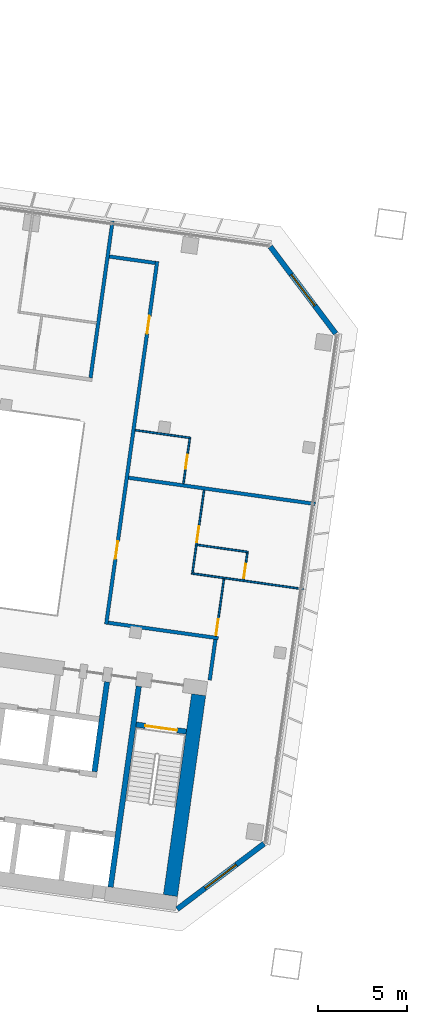
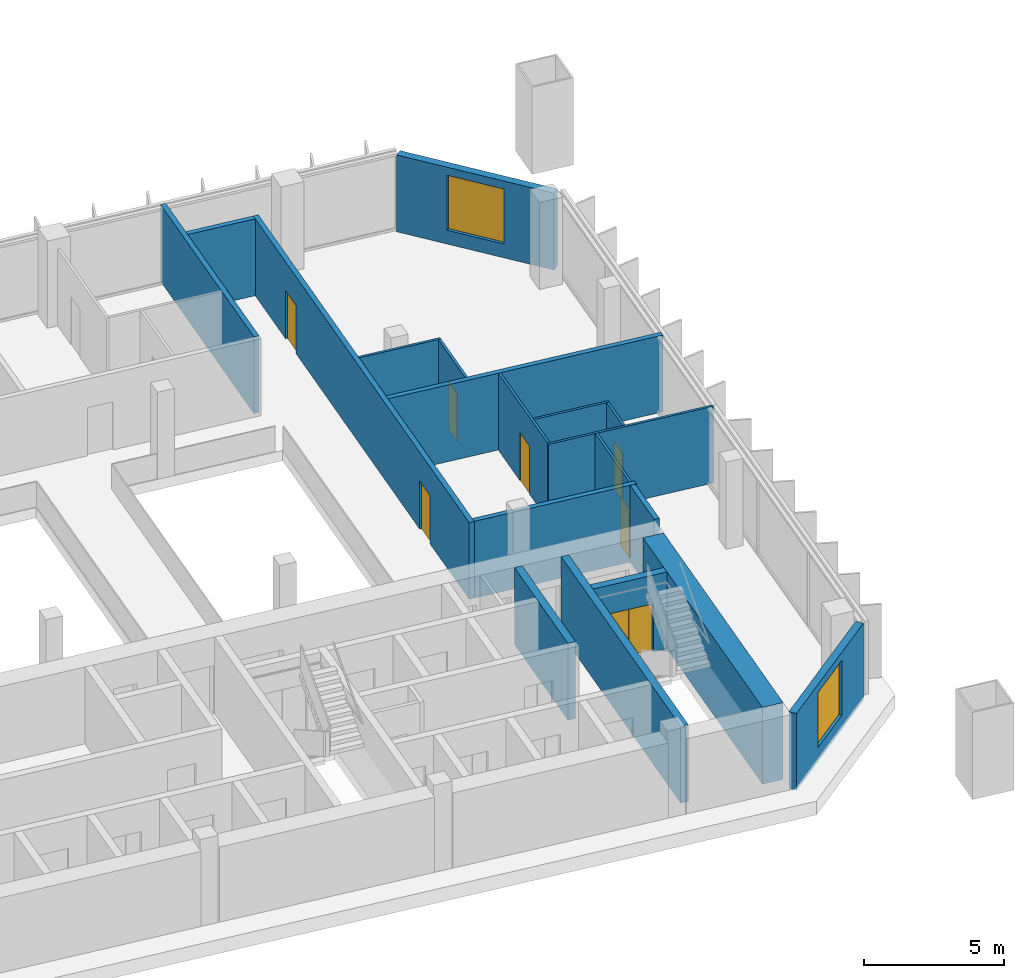
# One storey, part 17 of 24: 19 walls, 7 doors, 2 windows, 9 openings.
"""IFC4 building model written with IfcOpenShell, lengths in metres."""

from ifc_helpers import new_model, si_unit, direction, frame, frame_2d, origin, place, context, subcontext, project, spatial, rectangle, extrude, material, layer, layer_set, type_object, element, fill, save


model = new_model("IFC4")

# Units and contexts
model_context = context("Model", 3, precision=1e-05, world=origin(), true_north=direction((0.0, 1.0)))
body_context = subcontext(model_context, "Body", "Model", "MODEL_VIEW")
ifc_project = project(units=[si_unit("LENGTHUNIT", "METRE"), si_unit("AREAUNIT", "SQUARE_METRE"), si_unit("VOLUMEUNIT", "CUBIC_METRE"), si_unit("PLANEANGLEUNIT", "RADIAN"), si_unit("MASSUNIT", "GRAM", prefix="KILO")], contexts=[model_context])

# Site, building, storey
site_placement = place(None, origin())
site = spatial("IfcSite", under=ifc_project, at=site_placement, CompositionType="ELEMENT")
building_placement = place(site_placement, origin())
building = spatial("IfcBuilding", under=site, at=building_placement, Name="Mirante Cascada Hotel Towers", CompositionType="ELEMENT")
storey_placement = place(building_placement, frame((0.0, 0.0, 132.9)))
storey = spatial("IfcBuildingStorey", under=building, at=storey_placement, Name="L30", CompositionType="ELEMENT", Elevation=132.9)

# Walls
ifc_material_1 = material(Name="Fire-rated plasterboard on metal studs")
ifc_layer_1 = layer(ifc_material_1, 0.2)
ifc_layer_set_1 = layer_set([ifc_layer_1], Name="Compartment wall 200 EI 120")
wall_type_1 = type_object("IfcWallType", Name="Compartment wall 200 EI 120", PredefinedType="PARTITIONING", material=ifc_layer_set_1)
wall_1_placement = place(storey_placement, frame((-34.7809, -4.7615, 0.0), z_axis=(0.0, 0.0, 1.0), x_axis=(-0.9902685, 0.1391698, 0.0)))
element("IfcWall", 1, at=wall_1_placement, inside=storey, type_object=wall_type_1, Name="Wall 1-L30-03", PredefinedType="PARTITIONING", context=body_context, shape_type="SweptSolid", body=[
    extrude(rectangle(XDim=6.2499, YDim=0.2, at=frame_2d((3.125, 0.0))), origin(), (0.0, 0.0, 1.0), 3.35),
])
wall_2_placement = place(storey_placement, frame((-29.3273, 2.7863, 0.0), z_axis=(0.0, 0.0, 1.0), x_axis=(-0.9902686, 0.1391691, 0.0)))
element("IfcWall", 2, at=wall_2_placement, inside=storey, type_object=wall_type_1, Name="Wall 1-L30-09", PredefinedType="PARTITIONING", context=body_context, shape_type="SweptSolid", body=[
    extrude(rectangle(XDim=10.6001, YDim=0.2, at=frame_2d((5.3, 0.0))), origin(), (0.0, 0.0, 1.0), 3.35),
])
wall_3_placement = place(storey_placement, frame((-40.9036, 16.6995, 0.0), z_axis=(0.0, 0.0, 1.0), x_axis=(0.9902647, -0.1391971, 0.0)))
element("IfcWall", 3, at=wall_3_placement, inside=storey, type_object=wall_type_1, Name="Wall 1-L30-20", PredefinedType="PARTITIONING", context=body_context, shape_type="SweptSolid", body=[
    extrude(rectangle(XDim=2.5999, YDim=0.2, at=frame_2d((1.3, 0.0))), origin(), (0.0, 0.0, 1.0), 3.35),
])
wall_4_placement = place(storey_placement, frame((-35.2634, -7.1173, 0.0), z_axis=(0.0, 0.0, 1.0), x_axis=(0.1391749, 0.9902678, 0.0)))
element("IfcWall", 4, at=wall_4_placement, inside=storey, type_object=wall_type_1, Name="Wall 1-L30-23", PredefinedType="PARTITIONING", context=body_context, shape_type="SweptSolid", body=[
    extrude(rectangle(XDim=2.3, YDim=0.2, at=frame_2d((1.15, 0.0))), origin(), (0.0, 0.0, 1.0), 3.35),
])

# Wall, openings, doors
wall_5_placement = place(storey_placement, frame((-41.083, -3.9768, 0.0), z_axis=(0.0, 0.0, 1.0), x_axis=(0.1391749, 0.9902678, 0.0)))
wall_5 = element("IfcWall", 5, at=wall_5_placement, inside=storey, type_object=wall_type_1, Name="Wall 1-L30-27", PredefinedType="PARTITIONING", context=body_context, shape_type="SweptSolid", body=[
    extrude(rectangle(XDim=20.6, YDim=0.2, at=frame_2d((10.3, 0.0))), origin(), (0.0, 0.0, 1.0), 3.35),
])
opening_1_placement = place(wall_5_placement, frame((3.7167, 0.0, 0.0)))
opening_1 = element("IfcOpeningElement", 6, at=opening_1_placement, cuts=wall_5, Name="Opening D1-L30-22", PredefinedType="OPENING", context=body_context, shape_type="SweptSolid", body=[
    extrude(rectangle(XDim=1.0, YDim=2.1, at=frame_2d((0.5, 1.05))), frame((0.0, 0.1, 0.0), z_axis=(0.0, -1.0, 0.0), x_axis=(1.0, 0.0, 0.0)), (0.0, 0.0, 1.0), 0.2),
])
opening_2_placement = place(wall_5_placement, frame((16.5, 0.0, 0.0)))
opening_2 = element("IfcOpeningElement", 7, at=opening_2_placement, cuts=wall_5, Name="Opening D1-L30-23", PredefinedType="OPENING", context=body_context, shape_type="SweptSolid", body=[
    extrude(rectangle(XDim=1.0, YDim=2.1, at=frame_2d((0.5, 1.05))), frame((0.0, 0.1, 0.0), z_axis=(0.0, -1.0, 0.0), x_axis=(1.0, 0.0, 0.0)), (0.0, 0.0, 1.0), 0.2),
])
ifc_material_2 = material(Name="Fire-rated timber door leaf", Category="wood")
door_type_1 = type_object("IfcDoorType", Name="Entrance door DG1 1000x2100 EI 60", OperationType="SINGLE_SWING_LEFT", PredefinedType="DOOR", material=ifc_material_2)
door_1_placement = place(opening_1_placement, frame((1.0, 0.0, 0.0), z_axis=(0.0, 0.0, 1.0), x_axis=(-1.0, 0.0, 0.0)))
door_1 = element("IfcDoor", 8, at=door_1_placement, inside=storey, type_object=door_type_1, Name="Door D1-L30-22", OperationType="SINGLE_SWING_RIGHT", OverallHeight=2.1, OverallWidth=1.0, PredefinedType="DOOR", context=body_context, shape_type="SweptSolid", body=[
    extrude(rectangle(XDim=1.0, YDim=2.1, at=frame_2d((0.5, 1.05))), frame((0.0, 0.025, 0.0), z_axis=(0.0, -1.0, 0.0), x_axis=(1.0, 0.0, 0.0)), (0.0, 0.0, 1.0), 0.05),
])
fill(opening_1, door_1)
door_2_placement = place(opening_2_placement, frame((1.0, 0.0, 0.0), z_axis=(0.0, 0.0, 1.0), x_axis=(-1.0, 0.0, 0.0)))
door_2 = element("IfcDoor", 9, at=door_2_placement, inside=storey, type_object=door_type_1, Name="Door D1-L30-23", OperationType="SINGLE_SWING_RIGHT", OverallHeight=2.1, OverallWidth=1.0, PredefinedType="DOOR", context=body_context, shape_type="SweptSolid", body=[
    extrude(rectangle(XDim=1.0, YDim=2.1, at=frame_2d((0.5, 1.05))), frame((0.0, 0.025, 0.0), z_axis=(0.0, -1.0, 0.0), x_axis=(1.0, 0.0, 0.0)), (0.0, 0.0, 1.0), 0.05),
])
fill(opening_2, door_2)

# Walls
wall_6_placement = place(storey_placement, frame((-40.7243, 18.6939, 0.0), z_axis=(0.0, 0.0, 1.0), x_axis=(-0.1391794, -0.9902672, 0.0)))
element("IfcWall", 10, at=wall_6_placement, inside=storey, type_object=wall_type_1, Name="Wall 1-L30-28", PredefinedType="PARTITIONING", context=body_context, shape_type="SweptSolid", body=[
    extrude(rectangle(XDim=8.9, YDim=0.2, at=frame_2d((4.45, 0.0))), origin(), (0.0, 0.0, 1.0), 3.35),
])
ifc_material_3 = material(Name="Plasterboard on metal studs")
ifc_layer_2 = layer(ifc_material_3, 0.1)
ifc_layer_set_2 = layer_set([ifc_layer_2], Name="Partition 100")
wall_type_2 = type_object("IfcWallType", Name="Partition 100", PredefinedType="PARTITIONING", material=ifc_layer_set_2)
wall_7_placement = place(storey_placement, frame((-36.2882, -1.1163, 0.0), z_axis=(0.0, 0.0, 1.0), x_axis=(0.9902691, -0.1391656, 0.0)))
element("IfcWall", 11, at=wall_7_placement, inside=storey, type_object=wall_type_2, Name="Wall 1-L30-04", PredefinedType="PARTITIONING", context=body_context, shape_type="SweptSolid", body=[
    extrude(rectangle(XDim=6.35, YDim=0.1, at=frame_2d((3.175, 0.0))), origin(), (0.0, 0.0, 1.0), 3.35),
])
wall_8_placement = place(storey_placement, frame((-35.9619, 0.4872, 0.0), z_axis=(0.0, 0.0, 1.0), x_axis=(0.9902683, -0.1391714, 0.0)))
element("IfcWall", 12, at=wall_8_placement, inside=storey, type_object=wall_type_2, Name="Wall 1-L30-06", PredefinedType="PARTITIONING", context=body_context, shape_type="SweptSolid", body=[
    extrude(rectangle(XDim=2.9, YDim=0.1, at=frame_2d((1.45, 0.0))), origin(), (0.0, 0.0, 1.0), 3.35),
])
wall_9_placement = place(storey_placement, frame((-36.3291, 6.4968, 0.0), z_axis=(0.0, 0.0, 1.0), x_axis=(-0.9902676, 0.1391765, 0.0)))
element("IfcWall", 13, at=wall_9_placement, inside=storey, type_object=wall_type_2, Name="Wall 1-L30-11", PredefinedType="PARTITIONING", context=body_context, shape_type="SweptSolid", body=[
    extrude(rectangle(XDim=3.15, YDim=0.1, at=frame_2d((1.575, 0.0))), origin(), (0.0, 0.0, 1.0), 3.35),
])

# Wall, opening, door
wall_10_placement = place(storey_placement, frame((-33.1466, 0.0411, 0.0), z_axis=(0.0, 0.0, 1.0), x_axis=(-0.1391749, -0.9902678, 0.0)))
wall_10 = element("IfcWall", 14, at=wall_10_placement, inside=storey, type_object=wall_type_2, Name="Wall 1-L30-22", PredefinedType="PARTITIONING", context=body_context, shape_type="SweptSolid", body=[
    extrude(rectangle(XDim=1.5333, YDim=0.1, at=frame_2d((0.7667, 0.0))), origin(), (0.0, 0.0, 1.0), 3.35),
])
opening_3_placement = place(wall_10_placement, frame((0.6333, 0.0, 0.0)))
opening_3 = element("IfcOpeningElement", 15, at=opening_3_placement, cuts=wall_10, Name="Opening D1-L30-18", PredefinedType="OPENING", context=body_context, shape_type="SweptSolid", body=[
    extrude(rectangle(XDim=0.8, YDim=2.1, at=frame_2d((0.4, 1.05))), frame((0.0, 0.05, 0.0), z_axis=(0.0, -1.0, 0.0), x_axis=(1.0, 0.0, 0.0)), (0.0, 0.0, 1.0), 0.1),
])
ifc_material_4 = material(Name="Timber door leaf", Category="wood")
door_type_2 = type_object("IfcDoorType", Name="Bathroom door DG4 800x2100", OperationType="SINGLE_SWING_LEFT", PredefinedType="DOOR", material=ifc_material_4)
door_3_placement = place(opening_3_placement, origin())
door_3 = element("IfcDoor", 16, at=door_3_placement, inside=storey, type_object=door_type_2, Name="Door D1-L30-18", OperationType="SINGLE_SWING_LEFT", OverallHeight=2.1, OverallWidth=0.8, PredefinedType="DOOR", context=body_context, shape_type="SweptSolid", body=[
    extrude(rectangle(XDim=0.8, YDim=2.1, at=frame_2d((0.4, 1.05))), frame((0.0, 0.025, 0.0), z_axis=(0.0, -1.0, 0.0), x_axis=(1.0, 0.0, 0.0)), (0.0, 0.0, 1.0), 0.05),
])
fill(opening_3, door_3)

wall_11_placement = place(storey_placement, frame((-34.4632, -1.4232, 0.0), z_axis=(0.0, 0.0, 1.0), x_axis=(-0.1391681, -0.9902688, 0.0)))
wall_11 = element("IfcWall", 17, at=wall_11_placement, inside=storey, type_object=wall_type_2, Name="Wall 1-L30-24", PredefinedType="PARTITIONING", context=body_context, shape_type="SweptSolid", body=[
    extrude(rectangle(XDim=3.25, YDim=0.1, at=frame_2d((1.625, 0.0))), origin(), (0.0, 0.0, 1.0), 3.35),
])
opening_4_placement = place(wall_11_placement, frame((2.3, 0.0, 0.0)))
opening_4 = element("IfcOpeningElement", 18, at=opening_4_placement, cuts=wall_11, Name="Opening D1-L30-19", PredefinedType="OPENING", context=body_context, shape_type="SweptSolid", body=[
    extrude(rectangle(XDim=0.9, YDim=2.1, at=frame_2d((0.45, 1.05))), frame((0.0, 0.05, 0.0), z_axis=(0.0, -1.0, 0.0), x_axis=(1.0, 0.0, 0.0)), (0.0, 0.0, 1.0), 0.1),
])
ifc_material_5 = material(Name="Timber door leaf", Category="wood")
door_type_3 = type_object("IfcDoorType", Name="Room door DG3 900x2100", OperationType="SINGLE_SWING_LEFT", PredefinedType="DOOR", material=ifc_material_5)
door_4_placement = place(opening_4_placement, origin())
door_4 = element("IfcDoor", 19, at=door_4_placement, inside=storey, type_object=door_type_3, Name="Door D1-L30-19", OperationType="SINGLE_SWING_LEFT", OverallHeight=2.1, OverallWidth=0.9, PredefinedType="DOOR", context=body_context, shape_type="SweptSolid", body=[
    extrude(rectangle(XDim=0.9, YDim=2.1, at=frame_2d((0.45, 1.05))), frame((0.0, 0.025, 0.0), z_axis=(0.0, -1.0, 0.0), x_axis=(1.0, 0.0, 0.0)), (0.0, 0.0, 1.0), 0.05),
])
fill(opening_4, door_4)

wall_12_placement = place(storey_placement, frame((-36.2317, -1.0737, 0.0), z_axis=(0.0, 0.0, 1.0), x_axis=(0.139176, 0.9902677, 0.0)))
wall_12 = element("IfcWall", 20, at=wall_12_placement, inside=storey, type_object=wall_type_2, Name="Wall 1-L30-25", PredefinedType="PARTITIONING", context=body_context, shape_type="SweptSolid", body=[
    extrude(rectangle(XDim=4.6833, YDim=0.1, at=frame_2d((2.3416, 0.0))), origin(), (0.0, 0.0, 1.0), 3.35),
])
opening_5_placement = place(wall_12_placement, frame((1.7333, 0.0, 0.0)))
opening_5 = element("IfcOpeningElement", 21, at=opening_5_placement, cuts=wall_12, Name="Opening D1-L30-20", PredefinedType="OPENING", context=body_context, shape_type="SweptSolid", body=[
    extrude(rectangle(XDim=0.9, YDim=2.1, at=frame_2d((0.45, 1.05))), frame((0.0, 0.05, 0.0), z_axis=(0.0, -1.0, 0.0), x_axis=(1.0, 0.0, 0.0)), (0.0, 0.0, 1.0), 0.1),
])
door_5_placement = place(opening_5_placement, origin())
door_5 = element("IfcDoor", 22, at=door_5_placement, inside=storey, type_object=door_type_3, Name="Door D1-L30-20", OperationType="SINGLE_SWING_LEFT", OverallHeight=2.1, OverallWidth=0.9, PredefinedType="DOOR", context=body_context, shape_type="SweptSolid", body=[
    extrude(rectangle(XDim=0.9, YDim=2.1, at=frame_2d((0.45, 1.05))), frame((0.0, 0.025, 0.0), z_axis=(0.0, -1.0, 0.0), x_axis=(1.0, 0.0, 0.0)), (0.0, 0.0, 1.0), 0.05),
])
fill(opening_5, door_5)

wall_13_placement = place(storey_placement, frame((-36.3855, 6.4543, 0.0), z_axis=(0.0, 0.0, 1.0), x_axis=(-0.1391755, -0.9902677, 0.0)))
wall_13 = element("IfcWall", 23, at=wall_13_placement, inside=storey, type_object=wall_type_2, Name="Wall 1-L30-26", PredefinedType="PARTITIONING", context=body_context, shape_type="SweptSolid", body=[
    extrude(rectangle(XDim=2.55, YDim=0.1, at=frame_2d((1.275, 0.0))), origin(), (0.0, 0.0, 1.0), 3.35),
])
opening_6_placement = place(wall_13_placement, frame((0.9, 0.0, 0.0)))
opening_6 = element("IfcOpeningElement", 24, at=opening_6_placement, cuts=wall_13, Name="Opening D1-L30-21", PredefinedType="OPENING", context=body_context, shape_type="SweptSolid", body=[
    extrude(rectangle(XDim=0.8, YDim=2.1, at=frame_2d((0.4, 1.05))), frame((0.0, 0.05, 0.0), z_axis=(0.0, -1.0, 0.0), x_axis=(1.0, 0.0, 0.0)), (0.0, 0.0, 1.0), 0.1),
])
door_6_placement = place(opening_6_placement, origin())
door_6 = element("IfcDoor", 25, at=door_6_placement, inside=storey, type_object=door_type_2, Name="Door D1-L30-21", OperationType="SINGLE_SWING_LEFT", OverallHeight=2.1, OverallWidth=0.8, PredefinedType="DOOR", context=body_context, shape_type="SweptSolid", body=[
    extrude(rectangle(XDim=0.8, YDim=2.1, at=frame_2d((0.4, 1.05))), frame((0.0, 0.025, 0.0), z_axis=(0.0, -1.0, 0.0), x_axis=(1.0, 0.0, 0.0)), (0.0, 0.0, 1.0), 0.05),
])
fill(opening_6, door_6)

# Wall, opening, window
ifc_material_6 = material(Name="Precast concrete C40/50", Category="concrete")
ifc_layer_3 = layer(ifc_material_6, 0.3)
ifc_layer_set_3 = layer_set([ifc_layer_3], Name="Precast concrete C40/50 cladding wall 300")
wall_type_3 = type_object("IfcWallType", Name="Precast concrete C40/50 cladding wall 300", PredefinedType="STANDARD", material=ifc_layer_set_3)
wall_14_placement = place(storey_placement, frame((-31.857, 17.252, 0.0), z_axis=(0.0, 0.0, 1.0), x_axis=(0.6018141, -0.7986362, 0.0)))
wall_14 = element("IfcWall", 26, at=wall_14_placement, inside=storey, type_object=wall_type_3, Name="Corner cladding wall T1 L30 front inner", PredefinedType="STANDARD", context=body_context, shape_type="SweptSolid", body=[
    extrude(rectangle(XDim=6.1157, YDim=0.3, at=frame_2d((3.0578, 0.0))), origin(), (0.0, 0.0, 1.0), 3.35),
])
opening_7_placement = place(wall_14_placement, frame((1.9578, 0.0, 0.6)))
opening_7 = element("IfcOpeningElement", 27, at=opening_7_placement, cuts=wall_14, Name="Opening W1-30-05", PredefinedType="OPENING", context=body_context, shape_type="SweptSolid", body=[
    extrude(rectangle(XDim=2.2, YDim=2.4, at=frame_2d((1.1, 1.2))), frame((0.0, 0.15, 0.0), z_axis=(0.0, -1.0, 0.0), x_axis=(1.0, 0.0, 0.0)), (0.0, 0.0, 1.0), 0.3),
])
ifc_material_7 = material(Name="Aluminium frame with clear double glazing", Category="aluminium")
window_type = type_object("IfcWindowType", Name="Corner suite window 2200x2400", PartitioningType="DOUBLE_PANEL_VERTICAL", PredefinedType="WINDOW", material=ifc_material_7)
window_1_placement = place(opening_7_placement, origin())
window_1 = element("IfcWindow", 28, at=window_1_placement, inside=storey, type_object=window_type, Name="Window W1-30-05", OverallHeight=2.4, OverallWidth=2.2, PartitioningType="SINGLE_PANEL", PredefinedType="WINDOW", context=body_context, shape_type="SweptSolid", body=[
    extrude(rectangle(XDim=2.2, YDim=2.4, at=frame_2d((1.1, 1.2))), frame((0.0, 0.03, 0.0), z_axis=(0.0, -1.0, 0.0), x_axis=(1.0, 0.0, 0.0)), (0.0, 0.0, 1.0), 0.06),
])
fill(opening_7, window_1)

wall_15_placement = place(storey_placement, frame((-32.2074, -16.3138, 0.0), z_axis=(0.0, 0.0, 1.0), x_axis=(-0.7986362, -0.6018141, 0.0)))
wall_15 = element("IfcWall", 29, at=wall_15_placement, inside=storey, type_object=wall_type_3, Name="Corner cladding wall T1 L30 inner rear", PredefinedType="STANDARD", context=body_context, shape_type="SweptSolid", body=[
    extrude(rectangle(XDim=6.1157, YDim=0.3, at=frame_2d((3.0578, 0.0))), origin(), (0.0, 0.0, 1.0), 3.35),
])
opening_8_placement = place(wall_15_placement, frame((1.9578, 0.0, 0.6)))
opening_8 = element("IfcOpeningElement", 30, at=opening_8_placement, cuts=wall_15, Name="Opening W1-30-06", PredefinedType="OPENING", context=body_context, shape_type="SweptSolid", body=[
    extrude(rectangle(XDim=2.2, YDim=2.4, at=frame_2d((1.1, 1.2))), frame((0.0, 0.15, 0.0), z_axis=(0.0, -1.0, 0.0), x_axis=(1.0, 0.0, 0.0)), (0.0, 0.0, 1.0), 0.3),
])
window_2_placement = place(opening_8_placement, origin())
window_2 = element("IfcWindow", 31, at=window_2_placement, inside=storey, type_object=window_type, Name="Window W1-30-06", OverallHeight=2.4, OverallWidth=2.2, PartitioningType="SINGLE_PANEL", PredefinedType="WINDOW", context=body_context, shape_type="SweptSolid", body=[
    extrude(rectangle(XDim=2.2, YDim=2.4, at=frame_2d((1.1, 1.2))), frame((0.0, 0.03, 0.0), z_axis=(0.0, -1.0, 0.0), x_axis=(1.0, 0.0, 0.0)), (0.0, 0.0, 1.0), 0.06),
])
fill(opening_8, window_2)

# Wall
ifc_material_8 = material(Name="Concrete C50/60", Category="concrete")
ifc_layer_4 = layer(ifc_material_8, 0.3)
ifc_layer_set_4 = layer_set([ifc_layer_4], Name="RC core wall 300 C50/60")
wall_type_4 = type_object("IfcWallType", Name="RC core wall 300 C50/60", PredefinedType="SHEAR", material=ifc_layer_set_4)
wall_16_placement = place(storey_placement, frame((-40.8373, -18.7548, 0.0), z_axis=(0.0, 0.0, 1.0), x_axis=(0.1391749, 0.9902678, 0.0)))
element("IfcWall", 32, at=wall_16_placement, inside=storey, type_object=wall_type_4, Name="Core wall T1:L30:5", PredefinedType="SHEAR", context=body_context, shape_type="SweptSolid", body=[
    extrude(rectangle(XDim=11.4, YDim=0.3, at=frame_2d((5.7, 0.0))), origin(), (0.0, 0.0, 1.0), 3.35),
])

# Wall, opening, door
wall_17_placement = place(storey_placement, frame((-36.5791, -10.0123, 0.0), z_axis=(0.0, 0.0, 1.0), x_axis=(-0.9902704, 0.1391564, 0.0)))
wall_17 = element("IfcWall", 33, at=wall_17_placement, inside=storey, type_object=wall_type_4, Name="Core wall T1:L30:9", PredefinedType="SHEAR", context=body_context, shape_type="SweptSolid", body=[
    extrude(rectangle(XDim=2.85, YDim=0.3, at=frame_2d((1.425, 0.0))), origin(), (0.0, 0.0, 1.0), 3.35),
])
opening_9_placement = place(wall_17_placement, frame((0.525, 0.0, 0.0)))
opening_9 = element("IfcOpeningElement", 34, at=opening_9_placement, cuts=wall_17, Name="Opening D1-30-C13", PredefinedType="OPENING", context=body_context, shape_type="SweptSolid", body=[
    extrude(rectangle(XDim=1.8, YDim=2.1, at=frame_2d((0.9, 1.05))), frame((0.0, 0.15, 0.0), z_axis=(0.0, -1.0, 0.0), x_axis=(1.0, 0.0, 0.0)), (0.0, 0.0, 1.0), 0.3),
])
ifc_material_9 = material(Name="Hollow metal fire door leaf")
door_type_4 = type_object("IfcDoorType", Name="Double fire door 1800x2100 FD60", OperationType="DOUBLE_DOOR_SINGLE_SWING", PredefinedType="DOOR", material=ifc_material_9)
door_7_placement = place(opening_9_placement, origin())
door_7 = element("IfcDoor", 35, at=door_7_placement, inside=storey, type_object=door_type_4, Name="Stair door T1 L30 13", OperationType="DOUBLE_DOOR_SINGLE_SWING", OverallHeight=2.1, OverallWidth=1.8, PredefinedType="DOOR", context=body_context, shape_type="SweptSolid", body=[
    extrude(rectangle(XDim=0.895, YDim=2.1, at=frame_2d((0.4475, 1.05))), frame((0.0, 0.025, 0.0), z_axis=(0.0, -1.0, 0.0), x_axis=(1.0, 0.0, 0.0)), (0.0, 0.0, 1.0), 0.05),
    extrude(rectangle(XDim=0.895, YDim=2.1, at=frame_2d((1.3525, 1.05))), frame((0.0, 0.025, 0.0), z_axis=(0.0, -1.0, 0.0), x_axis=(1.0, 0.0, 0.0)), (0.0, 0.0, 1.0), 0.05),
])
fill(opening_9, door_7)

# Walls
wall_18_placement = place(storey_placement, frame((-41.743, -12.2656, 0.0), z_axis=(0.0, 0.0, 1.0), x_axis=(0.1391755, 0.9902677, 0.0)))
element("IfcWall", 36, at=wall_18_placement, inside=storey, type_object=wall_type_4, Name="Core wall T1:L30:20", PredefinedType="SHEAR", context=body_context, shape_type="SweptSolid", body=[
    extrude(rectangle(XDim=5.1, YDim=0.3, at=frame_2d((2.55, 0.0))), origin(), (0.0, 0.0, 1.0), 3.35),
])
ifc_material_10 = material(Name="Concrete C50/60", Category="concrete")
ifc_layer_5 = layer(ifc_material_10, 0.8)
ifc_layer_set_5 = layer_set([ifc_layer_5], Name="RC core wall 800 C50/60")
wall_type_5 = type_object("IfcWallType", Name="RC core wall 800 C50/60", PredefinedType="SHEAR", material=ifc_layer_set_5)
wall_19_placement = place(storey_placement, frame((-37.4704, -19.228, 0.0), z_axis=(0.0, 0.0, 1.0), x_axis=(0.1391749, 0.9902678, 0.0)))
element("IfcWall", 37, at=wall_19_placement, inside=storey, type_object=wall_type_5, Name="Core wall T1:L30:3", PredefinedType="SHEAR", context=body_context, shape_type="SweptSolid", body=[
    extrude(rectangle(XDim=11.4, YDim=0.8, at=frame_2d((5.7, 0.0))), origin(), (0.0, 0.0, 1.0), 3.35),
])

save(model, "model.ifc")
